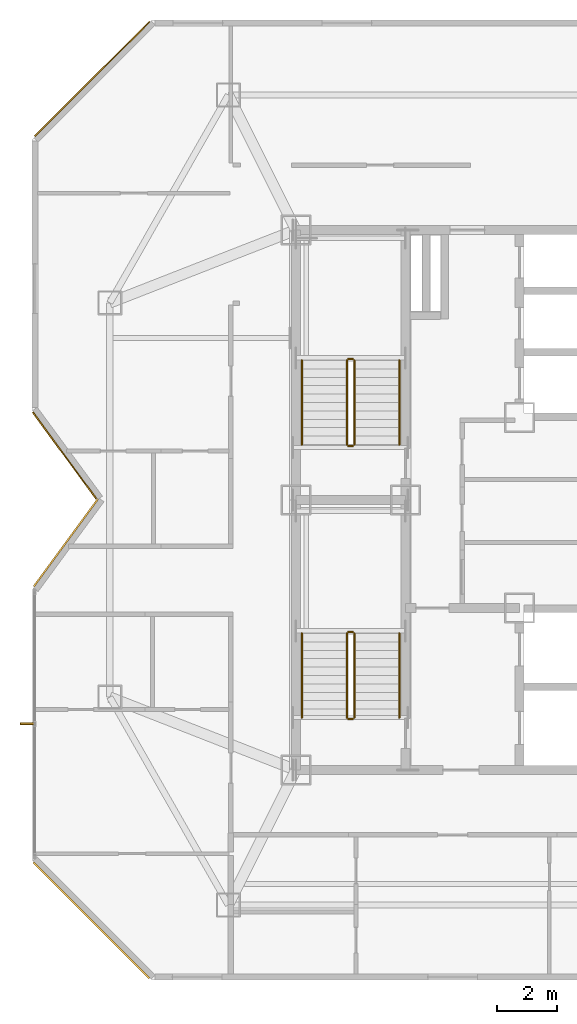
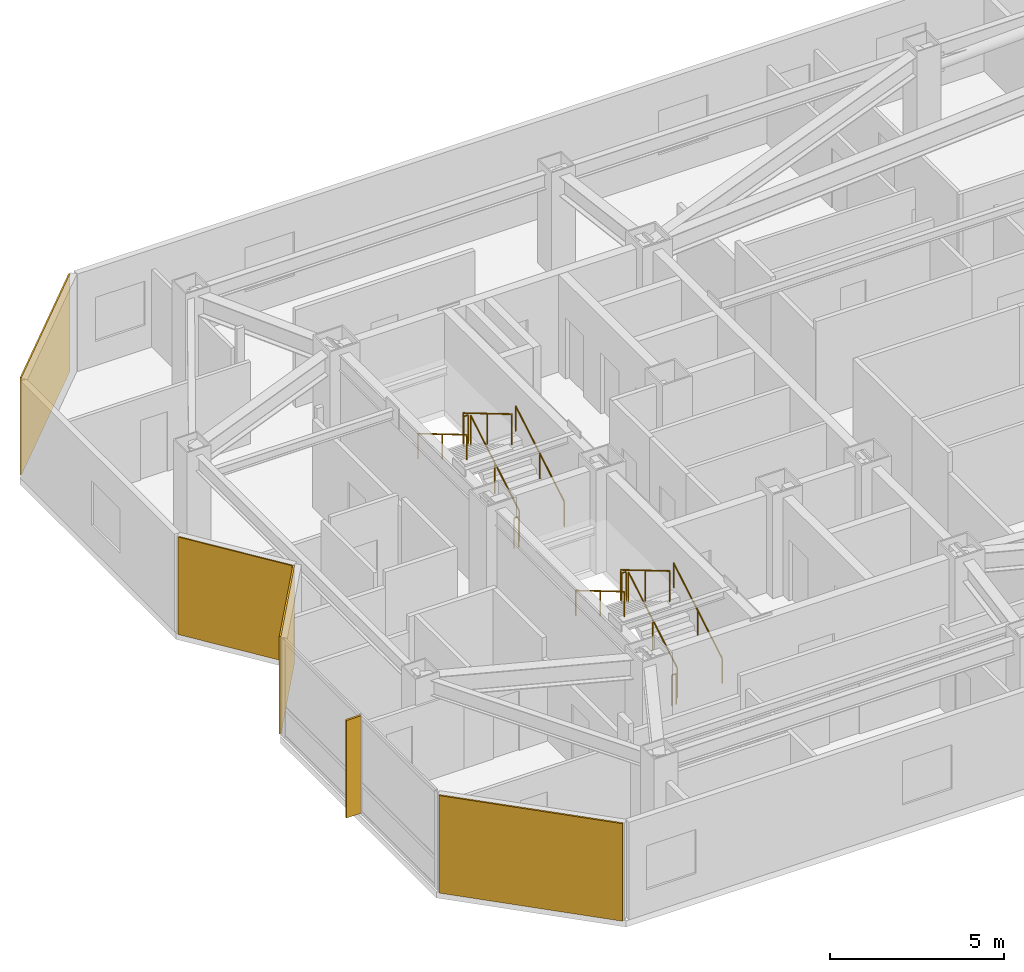
# One storey, part 13 of 14: 12 railings, 4 coverings, 1 shading device.
"""IFC4 building model written with IfcOpenShell, lengths in metres."""

from ifc_helpers import new_model, si_unit, direction, frame, origin, origin_2d, place, context, subcontext, project, spatial, rectangle, circle, extrude, material, layer, layer_set, type_object, element, save


model = new_model("IFC4")

# Units and contexts
model_context = context("Model", 3, precision=1e-05, world=origin(), true_north=direction((0.0, 1.0)))
body_context = subcontext(model_context, "Body", "Model", "MODEL_VIEW")
ifc_project = project(units=[si_unit("LENGTHUNIT", "METRE"), si_unit("AREAUNIT", "SQUARE_METRE"), si_unit("VOLUMEUNIT", "CUBIC_METRE"), si_unit("PLANEANGLEUNIT", "RADIAN"), si_unit("MASSUNIT", "GRAM", prefix="KILO")], contexts=[model_context])

# Site, building, storey
site_placement = place(None, origin())
site = spatial("IfcSite", under=ifc_project, at=site_placement, CompositionType="ELEMENT")
building_placement = place(site_placement, origin())
building = spatial("IfcBuilding", under=site, at=building_placement, Name="Khamvora Tower", CompositionType="ELEMENT")
storey_placement = place(building_placement, frame((0.0, 0.0, 242.75)))
storey = spatial("IfcBuildingStorey", under=building, at=storey_placement, Name="L62", CompositionType="ELEMENT", Elevation=242.75)

# Coverings
ifc_material_1 = material(Name="Pale Anodised Aluminium Rainscreen Panel", Category="aluminium")
ifc_layer_1 = layer(ifc_material_1, 0.044921875)
ifc_layer_set_1 = layer_set([ifc_layer_1], Name="Pale Anodised Aluminium Rainscreen Panel")
covering_type_1 = type_object("IfcCoveringType", Name="COV-CLD-ALU", PredefinedType="CLADDING", material=ifc_layer_set_1)
covering_1_placement = place(storey_placement, frame((21.291015625, 29.48095703125, 0.0), z_axis=(0.0, 0.0, 1.0), x_axis=(-0.591257495158, 0.806482841987, 0.0)))
element("IfcCovering", 1, at=covering_1_placement, inside=storey, type_object=covering_type_1, Name="L62 chamfer rainscreen cladding 04.1", PredefinedType="CLADDING", context=body_context, shape_type="SweptSolid", body=[
    extrude(rectangle(XDim=3.574951171875, YDim=0.044921875, at=origin_2d()), origin(), (0.0, 0.0, 1.0), 3.429931640625),
])
covering_2_placement = place(storey_placement, frame((22.208984375, 42.034912109375, 0.0), z_axis=(0.0, 0.0, 1.0), x_axis=(0.707106781187, 0.707106781187, 0.0)))
element("IfcCovering", 2, at=covering_2_placement, inside=storey, type_object=covering_type_1, Name="L62 chamfer rainscreen cladding 06.1", PredefinedType="CLADDING", context=body_context, shape_type="SweptSolid", body=[
    extrude(rectangle(XDim=5.410888671875, YDim=0.044921875, at=origin_2d()), origin(), (0.0, 0.0, 1.0), 3.429931640625),
])
ifc_material_2 = material(Name="Anodised Bronze Aluminium Spandrel Panel", Category="aluminium")
ifc_layer_2 = layer(ifc_material_2, 0.054931640625)
ifc_layer_set_2 = layer_set([ifc_layer_2], Name="Anodised Bronze Aluminium Spandrel Panel")
covering_type_2 = type_object("IfcCoveringType", Name="COV-CLD-BRZ", PredefinedType="CLADDING", material=ifc_layer_set_2)
covering_3_placement = place(storey_placement, frame((22.18701171875, 13.987060546875, 0.0), z_axis=(0.0, 0.0, 1.0), x_axis=(-0.707106781187, 0.707106781187, 0.0)))
element("IfcCovering", 3, at=covering_3_placement, inside=storey, type_object=covering_type_2, Name="L62 chamfer rainscreen cladding 01.1", PredefinedType="CLADDING", context=body_context, shape_type="SweptSolid", body=[
    extrude(rectangle(XDim=5.472900390625, YDim=0.054931640625, at=origin_2d()), origin(), (0.0, 0.0, 1.0), 3.429931640625),
])
covering_4_placement = place(storey_placement, frame((21.3310546875, 26.572998046875, 0.0), z_axis=(0.0, 0.0, 1.0), x_axis=(0.591387023888, 0.806387864478, 0.0)))
element("IfcCovering", 4, at=covering_4_placement, inside=storey, type_object=covering_type_2, Name="L62 chamfer rainscreen cladding 03.1", PredefinedType="CLADDING", context=body_context, shape_type="SweptSolid", body=[
    extrude(rectangle(XDim=3.612060546875, YDim=0.054931640625, at=origin_2d()), origin(), (0.0, 0.0, 1.0), 3.429931640625),
])

# Railings
ifc_material_3 = material(Name="Brushed Stainless Steel 316", Category="steel")
railing_type_1 = type_object("IfcRailingType", Name="RAL-HDR-920", PredefinedType="HANDRAIL", material=ifc_material_3)
railing_1_placement = place(storey_placement, frame((32.449951171875, 20.75, 0.166015625)))
element("IfcRailing", 5, at=railing_1_placement, inside=storey, type_object=railing_type_1, Name="L62 ST-01 stair handrail 1", PredefinedType="HANDRAIL", context=body_context, shape_type="SweptSolid", body=[
    extrude(circle(Radius=0.02392578125, at=origin_2d()), frame((0.0, 0.0, 0.8759765625), z_axis=(0.0, 0.860339051648, 0.50972219513), x_axis=(-1.0, 0.0, 0.0)), (0.0, 0.0, 1.0), 3.254638671875),
    extrude(circle(Radius=0.02099609375, at=origin_2d()), origin(), (0.0, 0.0, 1.0), 0.851806640625),
    extrude(circle(Radius=0.02099609375, at=origin_2d()), frame((0.0, 1.39990234375, 0.82958984375)), (0.0, 0.0, 1.0), 0.851806640625),
    extrude(circle(Radius=0.02099609375, at=origin_2d()), frame((0.0, 2.800048828125, 1.658935546875)), (0.0, 0.0, 1.0), 0.851806640625),
])
railing_2_placement = place(storey_placement, frame((29.199951171875, 23.550048828125, 1.990966796875)))
element("IfcRailing", 6, at=railing_2_placement, inside=storey, type_object=railing_type_1, Name="L62 ST-01 stair handrail 2", PredefinedType="HANDRAIL", context=body_context, shape_type="SweptSolid", body=[
    extrude(circle(Radius=0.02392578125, at=origin_2d()), frame((0.0, 0.0, 0.8759765625), z_axis=(0.0, -0.860339051648, 0.50972219513), x_axis=(1.0, 0.0, 0.0)), (0.0, 0.0, 1.0), 3.254638671875),
    extrude(circle(Radius=0.02099609375, at=origin_2d()), origin(), (0.0, 0.0, 1.0), 0.851806640625),
    extrude(circle(Radius=0.02099609375, at=origin_2d()), frame((0.0, -1.39990234375, 0.82958984375)), (0.0, 0.0, 1.0), 0.851806640625),
    extrude(circle(Radius=0.02099609375, at=origin_2d()), frame((0.0, -2.800048828125, 1.658935546875)), (0.0, 0.0, 1.0), 0.851806640625),
])
railing_3_placement = place(storey_placement, frame((32.449951171875, 29.85009765625, 0.166015625)))
element("IfcRailing", 7, at=railing_3_placement, inside=storey, type_object=railing_type_1, Name="L62 ST-02 stair handrail 1", PredefinedType="HANDRAIL", context=body_context, shape_type="SweptSolid", body=[
    extrude(circle(Radius=0.02392578125, at=origin_2d()), frame((0.0, 0.0, 0.8759765625), z_axis=(0.0, 0.860319559791, 0.509755093197), x_axis=(-1.0, 0.0, 0.0)), (0.0, 0.0, 1.0), 3.25439453125),
    extrude(circle(Radius=0.02099609375, at=origin_2d()), origin(), (0.0, 0.0, 1.0), 0.851806640625),
    extrude(circle(Radius=0.02099609375, at=origin_2d()), frame((0.0, 1.39990234375, 0.82958984375)), (0.0, 0.0, 1.0), 0.851806640625),
    extrude(circle(Radius=0.02099609375, at=origin_2d()), frame((0.0, 2.7998046875, 1.658935546875)), (0.0, 0.0, 1.0), 0.851806640625),
])
railing_4_placement = place(storey_placement, frame((29.199951171875, 32.64990234375, 1.990966796875)))
element("IfcRailing", 8, at=railing_4_placement, inside=storey, type_object=railing_type_1, Name="L62 ST-02 stair handrail 2", PredefinedType="HANDRAIL", context=body_context, shape_type="SweptSolid", body=[
    extrude(circle(Radius=0.02392578125, at=origin_2d()), frame((0.0, 0.0, 0.8759765625), z_axis=(0.0, -0.860319559791, 0.509755093197), x_axis=(1.0, 0.0, 0.0)), (0.0, 0.0, 1.0), 3.25439453125),
    extrude(circle(Radius=0.02099609375, at=origin_2d()), origin(), (0.0, 0.0, 1.0), 0.851806640625),
    extrude(circle(Radius=0.02099609375, at=origin_2d()), frame((0.0, -1.39990234375, 0.82958984375)), (0.0, 0.0, 1.0), 0.851806640625),
    extrude(circle(Radius=0.02099609375, at=origin_2d()), frame((0.0, -2.7998046875, 1.658935546875)), (0.0, 0.0, 1.0), 0.851806640625),
])
ifc_material_4 = material(Name="Stainless Steel 316", Category="steel")
railing_type_2 = type_object("IfcRailingType", Name="RAL-STG-1100", PredefinedType="GUARDRAIL", material=ifc_material_4)
railing_5_placement = place(storey_placement, frame((30.949951171875, 20.75, 0.166015625)))
element("IfcRailing", 9, at=railing_5_placement, inside=storey, type_object=railing_type_2, Name="L62 ST-01 stair guard 1", PredefinedType="GUARDRAIL", context=body_context, shape_type="SweptSolid", body=[
    extrude(circle(Radius=0.02392578125, at=origin_2d()), frame((0.0, 0.0, 1.076171875), z_axis=(0.0, 0.860339051648, 0.50972219513), x_axis=(-1.0, 0.0, 0.0)), (0.0, 0.0, 1.0), 3.254638671875),
    extrude(circle(Radius=0.02099609375, at=origin_2d()), origin(), (0.0, 0.0, 1.0), 1.052001953125),
    extrude(circle(Radius=0.02099609375, at=origin_2d()), frame((0.0, 1.39990234375, 0.82958984375)), (0.0, 0.0, 1.0), 1.052001953125),
    extrude(circle(Radius=0.02099609375, at=origin_2d()), frame((0.0, 2.800048828125, 1.658935546875)), (0.0, 0.0, 1.0), 1.052001953125),
])
railing_6_placement = place(storey_placement, frame((30.89990234375, 23.60009765625, 1.824951171875)))
element("IfcRailing", 10, at=railing_6_placement, inside=storey, type_object=railing_type_2, Name="L62 ST-01 stair guard 2", PredefinedType="GUARDRAIL", context=body_context, shape_type="SweptSolid", body=[
    extrude(circle(Radius=0.02392578125, at=origin_2d()), frame((0.0, 0.0, 1.076171875), z_axis=(-1.0, 0.0, 0.0), x_axis=(0.0, -1.0, 0.0)), (0.0, 0.0, 1.0), 0.14990234375),
    extrude(circle(Radius=0.02099609375, at=origin_2d()), origin(), (0.0, 0.0, 1.0), 1.052001953125),
    extrude(circle(Radius=0.02099609375, at=origin_2d()), frame((-0.14990234375, 0.0, 0.0)), (0.0, 0.0, 1.0), 1.052001953125),
])
railing_7_placement = place(storey_placement, frame((30.699951171875, 23.550048828125, 1.990966796875)))
element("IfcRailing", 11, at=railing_7_placement, inside=storey, type_object=railing_type_2, Name="L62 ST-01 stair guard 3", PredefinedType="GUARDRAIL", context=body_context, shape_type="SweptSolid", body=[
    extrude(circle(Radius=0.02392578125, at=origin_2d()), frame((0.0, 0.0, 1.076171875), z_axis=(0.0, -0.860339051648, 0.50972219513), x_axis=(1.0, 0.0, 0.0)), (0.0, 0.0, 1.0), 3.254638671875),
    extrude(circle(Radius=0.02099609375, at=origin_2d()), origin(), (0.0, 0.0, 1.0), 1.052001953125),
    extrude(circle(Radius=0.02099609375, at=origin_2d()), frame((0.0, -1.39990234375, 0.82958984375)), (0.0, 0.0, 1.0), 1.052001953125),
    extrude(circle(Radius=0.02099609375, at=origin_2d()), frame((0.0, -2.800048828125, 1.658935546875)), (0.0, 0.0, 1.0), 1.052001953125),
])
railing_8_placement = place(storey_placement, frame((30.89990234375, 20.699951171875, 0.0)))
element("IfcRailing", 12, at=railing_8_placement, inside=storey, type_object=railing_type_2, Name="L62 ST-01 stair guard 4", PredefinedType="GUARDRAIL", context=body_context, shape_type="SweptSolid", body=[
    extrude(circle(Radius=0.02392578125, at=origin_2d()), frame((0.0, 0.0, 1.076171875), z_axis=(-1.0, 0.0, 0.0), x_axis=(0.0, -1.0, 0.0)), (0.0, 0.0, 1.0), 0.14990234375),
    extrude(circle(Radius=0.02099609375, at=origin_2d()), origin(), (0.0, 0.0, 1.0), 1.052001953125),
    extrude(circle(Radius=0.02099609375, at=origin_2d()), frame((-0.14990234375, 0.0, 0.0)), (0.0, 0.0, 1.0), 1.052001953125),
])
railing_9_placement = place(storey_placement, frame((30.949951171875, 29.85009765625, 0.166015625)))
element("IfcRailing", 13, at=railing_9_placement, inside=storey, type_object=railing_type_2, Name="L62 ST-02 stair guard 1", PredefinedType="GUARDRAIL", context=body_context, shape_type="SweptSolid", body=[
    extrude(circle(Radius=0.02392578125, at=origin_2d()), frame((0.0, 0.0, 1.076171875), z_axis=(0.0, 0.860319559791, 0.509755093197), x_axis=(-1.0, 0.0, 0.0)), (0.0, 0.0, 1.0), 3.25439453125),
    extrude(circle(Radius=0.02099609375, at=origin_2d()), origin(), (0.0, 0.0, 1.0), 1.052001953125),
    extrude(circle(Radius=0.02099609375, at=origin_2d()), frame((0.0, 1.39990234375, 0.82958984375)), (0.0, 0.0, 1.0), 1.052001953125),
    extrude(circle(Radius=0.02099609375, at=origin_2d()), frame((0.0, 2.7998046875, 1.658935546875)), (0.0, 0.0, 1.0), 1.052001953125),
])
railing_10_placement = place(storey_placement, frame((30.89990234375, 32.699951171875, 1.824951171875)))
element("IfcRailing", 14, at=railing_10_placement, inside=storey, type_object=railing_type_2, Name="L62 ST-02 stair guard 2", PredefinedType="GUARDRAIL", context=body_context, shape_type="SweptSolid", body=[
    extrude(circle(Radius=0.02392578125, at=origin_2d()), frame((0.0, 0.0, 1.076171875), z_axis=(-1.0, 0.0, 0.0), x_axis=(0.0, -1.0, 0.0)), (0.0, 0.0, 1.0), 0.14990234375),
    extrude(circle(Radius=0.02099609375, at=origin_2d()), origin(), (0.0, 0.0, 1.0), 1.052001953125),
    extrude(circle(Radius=0.02099609375, at=origin_2d()), frame((-0.14990234375, 0.0, 0.0)), (0.0, 0.0, 1.0), 1.052001953125),
])
railing_11_placement = place(storey_placement, frame((30.699951171875, 32.64990234375, 1.990966796875)))
element("IfcRailing", 15, at=railing_11_placement, inside=storey, type_object=railing_type_2, Name="L62 ST-02 stair guard 3", PredefinedType="GUARDRAIL", context=body_context, shape_type="SweptSolid", body=[
    extrude(circle(Radius=0.02392578125, at=origin_2d()), frame((0.0, 0.0, 1.076171875), z_axis=(0.0, -0.860319559791, 0.509755093197), x_axis=(1.0, 0.0, 0.0)), (0.0, 0.0, 1.0), 3.25439453125),
    extrude(circle(Radius=0.02099609375, at=origin_2d()), origin(), (0.0, 0.0, 1.0), 1.052001953125),
    extrude(circle(Radius=0.02099609375, at=origin_2d()), frame((0.0, -1.39990234375, 0.82958984375)), (0.0, 0.0, 1.0), 1.052001953125),
    extrude(circle(Radius=0.02099609375, at=origin_2d()), frame((0.0, -2.7998046875, 1.658935546875)), (0.0, 0.0, 1.0), 1.052001953125),
])
railing_12_placement = place(storey_placement, frame((30.89990234375, 29.800048828125, 0.0)))
element("IfcRailing", 16, at=railing_12_placement, inside=storey, type_object=railing_type_2, Name="L62 ST-02 stair guard 4", PredefinedType="GUARDRAIL", context=body_context, shape_type="SweptSolid", body=[
    extrude(circle(Radius=0.02392578125, at=origin_2d()), frame((0.0, 0.0, 1.076171875), z_axis=(-1.0, 0.0, 0.0), x_axis=(0.0, -1.0, 0.0)), (0.0, 0.0, 1.0), 0.14990234375),
    extrude(circle(Radius=0.02099609375, at=origin_2d()), origin(), (0.0, 0.0, 1.0), 1.052001953125),
    extrude(circle(Radius=0.02099609375, at=origin_2d()), frame((-0.14990234375, 0.0, 0.0)), (0.0, 0.0, 1.0), 1.052001953125),
])

# Shading device
ifc_material_5 = material(Name="Anodised Bronze Aluminium 6063-T6", Category="aluminium")
shading_device_type = type_object("IfcShadingDeviceType", Name="SHD-FIN-480", PredefinedType="USERDEFINED", material=ifc_material_5)
shading_device_placement = place(storey_placement, frame((20.044921875, 20.534912109375, 0.0), z_axis=(0.0, 0.0, 1.0), x_axis=(0.0, 1.0, 0.0)))
element("IfcShadingDevice", 17, at=shading_device_placement, inside=storey, type_object=shading_device_type, Name="L62 anodised bronze solar fin 02.01", ObjectType="FIN", PredefinedType="USERDEFINED", context=body_context, shape_type="SweptSolid", body=[
    extrude(rectangle(XDim=0.06494140625, YDim=0.47998046875, at=origin_2d()), origin(), (0.0, 0.0, 1.0), 3.429931640625),
])

save(model, "model.ifc")
